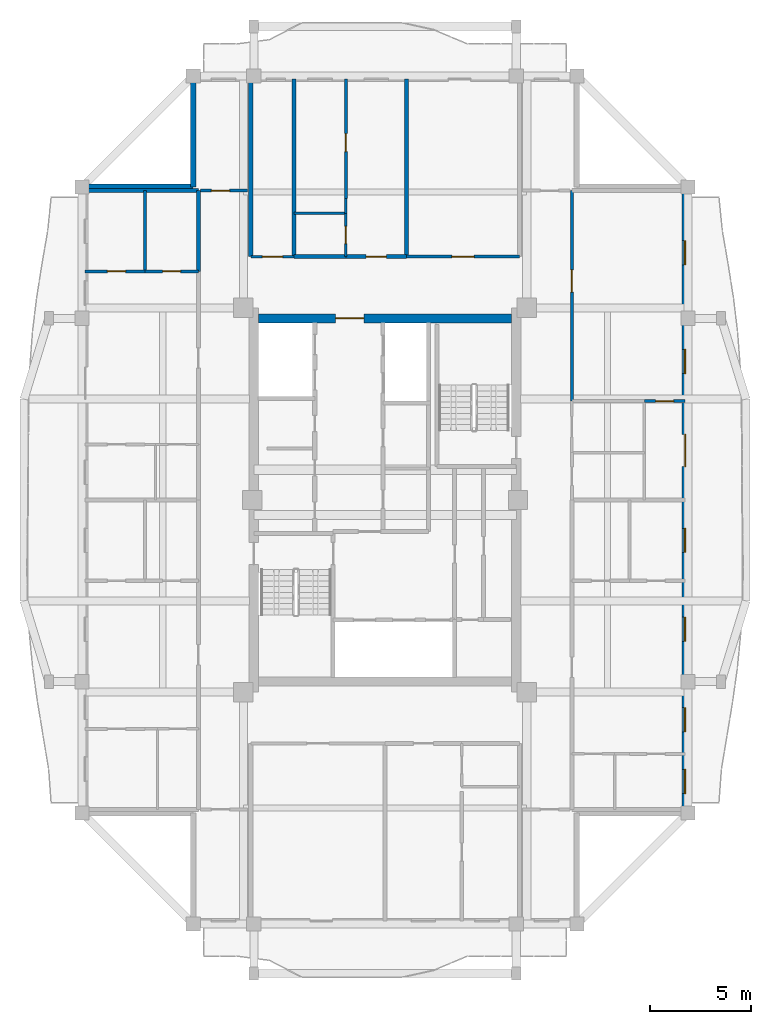
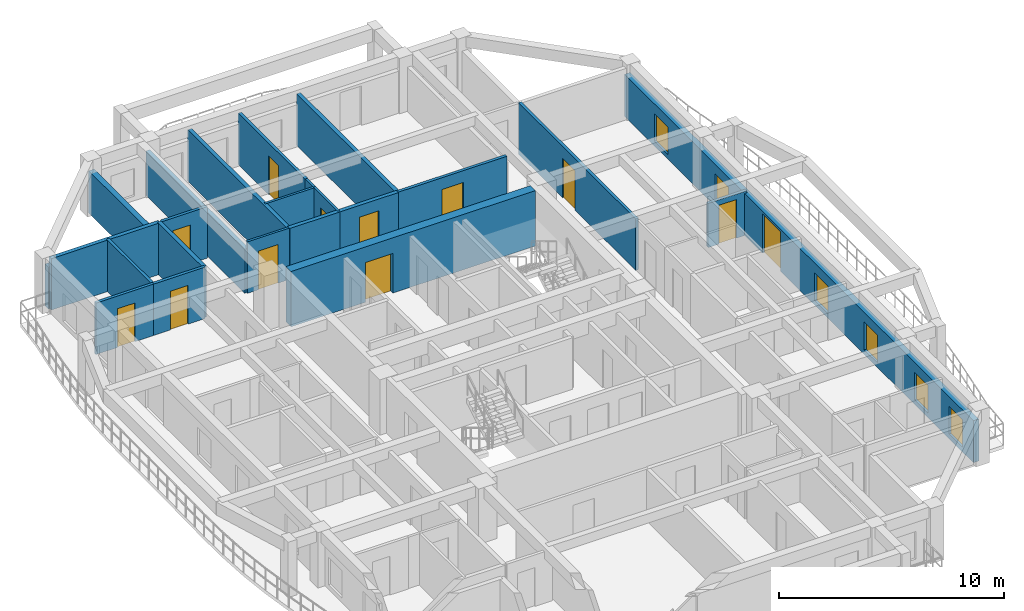
# One storey, part 5 of 12: 23 walls, 12 doors, 6 windows, 18 openings.
"""IFC4 building model written with IfcOpenShell, lengths in metres."""

from ifc_helpers import new_model, si_unit, direction, frame, frame_2d, origin, place, context, subcontext, project, spatial, rectangle, extrude, source, transform, mapped, material, layer, layer_set, type_object, element, fill, save


model = new_model("IFC4")

# Units and contexts
model_context = context("Model", 3, precision=1e-05, world=origin(), true_north=direction((0.0, 1.0)))
body_context = subcontext(model_context, "Body", "Model", "MODEL_VIEW")
ifc_project = project(units=[si_unit("LENGTHUNIT", "METRE"), si_unit("AREAUNIT", "SQUARE_METRE"), si_unit("VOLUMEUNIT", "CUBIC_METRE"), si_unit("PLANEANGLEUNIT", "RADIAN"), si_unit("MASSUNIT", "GRAM", prefix="KILO")], contexts=[model_context])

# Site, building, storey
site_placement = place(None, origin())
site = spatial("IfcSite", under=ifc_project, at=site_placement, CompositionType="ELEMENT")
building_placement = place(site_placement, origin())
building = spatial("IfcBuilding", under=site, at=building_placement, Name="Saelheon Loggia Tower", CompositionType="ELEMENT")
storey_placement = place(building_placement, frame((0.0, 0.0, 240.0)))
storey = spatial("IfcBuildingStorey", under=building, at=storey_placement, Name="L74", CompositionType="ELEMENT", Elevation=240.0)

# Wall, opening, door
ifc_material_1 = material(Name="Concrete C45/55", Category="concrete")
ifc_layer_1 = layer(ifc_material_1, 0.449951171875)
ifc_layer_set_1 = layer_set([ifc_layer_1], Name="Concrete C45/55")
wall_type_1 = type_object("IfcWallType", Name="Wall_CoreShear_450", PredefinedType="SHEAR", material=ifc_layer_set_1)
wall_1_placement = place(storey_placement, frame((31.72509765625, 36.0, 0.0), z_axis=(0.0, 0.0, 1.0), x_axis=(1.0, 0.0, 0.0)))
wall_1 = element("IfcWall", 1, at=wall_1_placement, inside=storey, type_object=wall_type_1, Name="L74 Core Shear Wall North", PredefinedType="SHEAR", context=body_context, shape_type="SweptSolid", body=[
    extrude(rectangle(XDim=12.5498046875, YDim=0.449951171875, at=frame_2d((6.27490234375, 0.0))), origin(), (0.0, 0.0, 1.0), 3.0),
])
opening_1_placement = place(wall_1_placement, frame((5.224853515625, 0.0, 0.0), z_axis=(0.0, 0.0, 1.0), x_axis=(-1.0, 0.0, 0.0)))
opening_1 = element("IfcOpeningElement", 2, at=opening_1_placement, cuts=wall_1, Name="Opening D-FD2L", PredefinedType="OPENING", context=body_context, shape_type="SweptSolid", body=[
    extrude(rectangle(XDim=1.39990234375, YDim=2.14990234375, at=frame_2d((0.699951171875, 1.074951171875))), frame((0.0, 0.237060546875, 0.0), z_axis=(0.0, -1.0, 0.0), x_axis=(1.0, 0.0, 0.0)), (0.0, 0.0, 1.0), 0.473876953125),
])
ifc_material_2 = material(Name="Galvanised Steel Glazed Lobby Fire Door", Category="steel")
door_type_1 = type_object("IfcDoorType", Name="Door_Fire_FD60_1400", OperationType="NOTDEFINED", PredefinedType="DOOR", material=ifc_material_2)
shared_shape_1 = source(origin(), body_context, "Body", "SweptSolid", [
    extrude(rectangle(XDim=1.39990234375, YDim=2.14990234375, at=frame_2d((0.699951171875, 1.074951171875))), frame((0.0, 0.02490234375, 0.0), z_axis=(0.0, -1.0, 0.0), x_axis=(1.0, 0.0, 0.0)), (0.0, 0.0, 1.0), 0.050048828125),
])
door_1_placement = place(opening_1_placement, origin())
door_1 = element("IfcDoor", 3, at=door_1_placement, inside=storey, type_object=door_type_1, Name="L74 Passenger Lift Lobby Main Door", OperationType="SINGLE_SWING_RIGHT", OverallHeight=2.14990234375, OverallWidth=1.39990234375, PredefinedType="DOOR", context=body_context, shape_type="MappedRepresentation", body=[
    mapped(shared_shape_1, transform((0.0, 0.0, 0.0), scale=1.0)),
])
fill(opening_1, door_1)

# Wall, openings, windows, door
ifc_material_3 = material(Name="Architectural Precast Concrete C40/50", Category="concrete")
ifc_layer_2 = layer(ifc_material_3, 0.280029296875)
ifc_layer_set_2 = layer_set([ifc_layer_2], Name="Architectural Precast Concrete C40/50")
wall_type_2 = type_object("IfcWallType", Name="Wall_Ext_Loggia_280", PredefinedType="SOLIDWALL", material=ifc_layer_set_2)
wall_2_placement = place(storey_placement, frame((52.860107421875, 11.5, 0.0), z_axis=(0.0, 0.0, 1.0), x_axis=(0.0, 1.0, 0.0)))
wall_2 = element("IfcWall", 4, at=wall_2_placement, inside=storey, type_object=wall_type_2, Name="L74 East Loggia Inner Wall", PredefinedType="SOLIDWALL", context=body_context, shape_type="SweptSolid", body=[
    extrude(rectangle(XDim=31.0, YDim=0.280029296875, at=frame_2d((15.5, 0.0))), origin(), (0.0, 0.0, 1.0), 2.280029296875),
])
opening_2_placement = place(wall_2_placement, frame((0.9599609375, 0.0, 0.25)))
opening_2 = element("IfcOpeningElement", 5, at=opening_2_placement, cuts=wall_2, Name="Opening WN-03", PredefinedType="OPENING", context=body_context, shape_type="SweptSolid", body=[
    extrude(rectangle(XDim=1.199951171875, YDim=1.5, at=frame_2d((0.60009765625, 0.75))), frame((0.0, 0.152099609375, 0.0), z_axis=(0.0, -1.0, 0.0), x_axis=(1.0, 0.0, 0.0)), (0.0, 0.0, 1.0), 0.303955078125),
])
opening_3_placement = place(wall_2_placement, frame((4.02001953125, 0.0, 0.25)))
opening_3 = element("IfcOpeningElement", 6, at=opening_3_placement, cuts=wall_2, Name="Opening WN-03", PredefinedType="OPENING", context=body_context, shape_type="SweptSolid", body=[
    extrude(rectangle(XDim=1.199951171875, YDim=1.5, at=frame_2d((0.60009765625, 0.75))), frame((0.0, 0.152099609375, 0.0), z_axis=(0.0, -1.0, 0.0), x_axis=(1.0, 0.0, 0.0)), (0.0, 0.0, 1.0), 0.303955078125),
])
opening_4_placement = place(wall_2_placement, frame((8.4951171875, 0.0, 0.25)))
opening_4 = element("IfcOpeningElement", 7, at=opening_4_placement, cuts=wall_2, Name="Opening WN-03", PredefinedType="OPENING", context=body_context, shape_type="SweptSolid", body=[
    extrude(rectangle(XDim=1.199951171875, YDim=1.5, at=frame_2d((0.60009765625, 0.75))), frame((0.0, 0.152099609375, 0.0), z_axis=(0.0, -1.0, 0.0), x_axis=(1.0, 0.0, 0.0)), (0.0, 0.0, 1.0), 0.303955078125),
])
opening_5_placement = place(wall_2_placement, frame((12.89990234375, 0.0, 0.25)))
opening_5 = element("IfcOpeningElement", 8, at=opening_5_placement, cuts=wall_2, Name="Opening WN-03", PredefinedType="OPENING", context=body_context, shape_type="SweptSolid", body=[
    extrude(rectangle(XDim=1.199951171875, YDim=1.5, at=frame_2d((0.60009765625, 0.75))), frame((0.0, 0.152099609375, 0.0), z_axis=(0.0, -1.0, 0.0), x_axis=(1.0, 0.0, 0.0)), (0.0, 0.0, 1.0), 0.303955078125),
])
opening_6_placement = place(wall_2_placement, frame((18.75, 0.0, 0.0), z_axis=(0.0, 0.0, 1.0), x_axis=(-1.0, 0.0, 0.0)))
opening_6 = element("IfcOpeningElement", 9, at=opening_6_placement, cuts=wall_2, Name="Opening DLG-1", PredefinedType="OPENING", context=body_context, shape_type="SweptSolid", body=[
    extrude(rectangle(XDim=1.60009765625, YDim=2.14990234375, at=frame_2d((0.800048828125, 1.074951171875))), frame((0.0, 0.152099609375, 0.0), z_axis=(0.0, -1.0, 0.0), x_axis=(1.0, 0.0, 0.0)), (0.0, 0.0, 1.0), 0.303955078125),
])
opening_7_placement = place(wall_2_placement, frame((21.7548828125, 0.0, 0.25)))
opening_7 = element("IfcOpeningElement", 10, at=opening_7_placement, cuts=wall_2, Name="Opening WN-03", PredefinedType="OPENING", context=body_context, shape_type="SweptSolid", body=[
    extrude(rectangle(XDim=1.199951171875, YDim=1.5, at=frame_2d((0.60009765625, 0.75))), frame((0.0, 0.152099609375, 0.0), z_axis=(0.0, -1.0, 0.0), x_axis=(1.0, 0.0, 0.0)), (0.0, 0.0, 1.0), 0.303955078125),
])
opening_8_placement = place(wall_2_placement, frame((27.14990234375, 0.0, 0.25)))
opening_8 = element("IfcOpeningElement", 11, at=opening_8_placement, cuts=wall_2, Name="Opening WN-03", PredefinedType="OPENING", context=body_context, shape_type="SweptSolid", body=[
    extrude(rectangle(XDim=1.199951171875, YDim=1.5, at=frame_2d((0.60009765625, 0.75))), frame((0.0, 0.152099609375, 0.0), z_axis=(0.0, -1.0, 0.0), x_axis=(1.0, 0.0, 0.0)), (0.0, 0.0, 1.0), 0.303955078125),
])
ifc_material_4 = material(Name="Thermal-Break Aluminium and Triple Low-E Glass", Category="aluminium")
window_type = type_object("IfcWindowType", Name="Win_Bedroom_1200x1500", PartitioningType="SINGLE_PANEL", PredefinedType="WINDOW", material=ifc_material_4)
shared_shape_2 = source(origin(), body_context, "Body", "SweptSolid", [
    extrude(rectangle(XDim=1.199951171875, YDim=1.5, at=frame_2d((0.60009765625, 0.75))), frame((0.0, 0.030029296875, 0.0), z_axis=(0.0, -1.0, 0.0), x_axis=(1.0, 0.0, 0.0)), (0.0, 0.0, 1.0), 0.06005859375),
])
window_1_placement = place(opening_2_placement, origin())
window_1 = element("IfcWindow", 12, at=window_1_placement, inside=storey, type_object=window_type, Name="L74 E Dwelling Window 1", OverallHeight=1.5, OverallWidth=1.199951171875, PartitioningType="SINGLE_PANEL", PredefinedType="WINDOW", context=body_context, shape_type="MappedRepresentation", body=[
    mapped(shared_shape_2, transform((0.0, 0.0, 0.0), scale=1.0)),
])
fill(opening_2, window_1)
window_2_placement = place(opening_3_placement, origin())
window_2 = element("IfcWindow", 13, at=window_2_placement, inside=storey, type_object=window_type, Name="L74 E Dwelling Window 2", OverallHeight=1.5, OverallWidth=1.199951171875, PartitioningType="SINGLE_PANEL", PredefinedType="WINDOW", context=body_context, shape_type="MappedRepresentation", body=[
    mapped(shared_shape_2, transform((0.0, 0.0, 0.0), scale=1.0)),
])
fill(opening_3, window_2)
window_3_placement = place(opening_4_placement, origin())
window_3 = element("IfcWindow", 14, at=window_3_placement, inside=storey, type_object=window_type, Name="L74 E Dwelling Window 3", OverallHeight=1.5, OverallWidth=1.199951171875, PartitioningType="SINGLE_PANEL", PredefinedType="WINDOW", context=body_context, shape_type="MappedRepresentation", body=[
    mapped(shared_shape_2, transform((0.0, 0.0, 0.0), scale=1.0)),
])
fill(opening_4, window_3)
window_4_placement = place(opening_5_placement, origin())
window_4 = element("IfcWindow", 15, at=window_4_placement, inside=storey, type_object=window_type, Name="L74 E Dwelling Window 4", OverallHeight=1.5, OverallWidth=1.199951171875, PartitioningType="SINGLE_PANEL", PredefinedType="WINDOW", context=body_context, shape_type="MappedRepresentation", body=[
    mapped(shared_shape_2, transform((0.0, 0.0, 0.0), scale=1.0)),
])
fill(opening_5, window_4)
window_5_placement = place(opening_7_placement, origin())
window_5 = element("IfcWindow", 16, at=window_5_placement, inside=storey, type_object=window_type, Name="L74 E Dwelling Window 6", OverallHeight=1.5, OverallWidth=1.199951171875, PartitioningType="SINGLE_PANEL", PredefinedType="WINDOW", context=body_context, shape_type="MappedRepresentation", body=[
    mapped(shared_shape_2, transform((0.0, 0.0, 0.0), scale=1.0)),
])
fill(opening_7, window_5)
window_6_placement = place(opening_8_placement, origin())
window_6 = element("IfcWindow", 17, at=window_6_placement, inside=storey, type_object=window_type, Name="L74 E Dwelling Window 7", OverallHeight=1.5, OverallWidth=1.199951171875, PartitioningType="SINGLE_PANEL", PredefinedType="WINDOW", context=body_context, shape_type="MappedRepresentation", body=[
    mapped(shared_shape_2, transform((0.0, 0.0, 0.0), scale=1.0)),
])
fill(opening_8, window_6)
ifc_material_5 = material(Name="Thermal-Break Aluminium Sliding Glazed Door", Category="aluminium")
door_type_2 = type_object("IfcDoorType", Name="Door_LoggiaSlide_1600", OperationType="SLIDING_TO_LEFT", PredefinedType="DOOR", material=ifc_material_5)
shared_shape_3 = source(origin(), body_context, "Body", "SweptSolid", [
    extrude(rectangle(XDim=1.60009765625, YDim=2.14990234375, at=frame_2d((0.800048828125, 1.074951171875))), frame((0.0, 0.02490234375, 0.0), z_axis=(0.0, -1.0, 0.0), x_axis=(1.0, 0.0, 0.0)), (0.0, 0.0, 1.0), 0.050048828125),
])
door_2_placement = place(opening_6_placement, origin())
door_2 = element("IfcDoor", 18, at=door_2_placement, inside=storey, type_object=door_type_2, Name="L74 E Loggia Access Door", OperationType="SLIDING_TO_LEFT", OverallHeight=2.14990234375, OverallWidth=1.60009765625, PredefinedType="DOOR", context=body_context, shape_type="MappedRepresentation", body=[
    mapped(shared_shape_3, transform((0.0, 0.0, 0.0), scale=1.0)),
])
fill(opening_6, door_2)

# Walls
for number, where, z_axis, x_axis, name in (
    (19, (28.5, 42.5, 0.0), (0.0, 0.0, 1.0), (0.0, 1.0, 0.0), "L74 Corner Notch Precast Wall NW1"),
    (20, (23.080078125, 42.5, 0.0), (0.0, 0.0, 1.0), (1.0, 0.0, 0.0), "L74 Corner Notch Precast Wall NW2"),
):
    element("IfcWall", number, at=place(storey_placement, frame(where, z_axis=z_axis, x_axis=x_axis)), inside=storey, type_object=wall_type_2, Name=name, PredefinedType="SOLIDWALL", context=body_context, shape_type="SweptSolid", body=[
        extrude(rectangle(XDim=5.419921875, YDim=0.280029296875, at=frame_2d((2.7099609375, 0.0))), origin(), (0.0, 0.0, 1.0), 2.280029296875),
    ])

# Wall, opening, door
ifc_material_6 = material(Name="Lightweight Autoclaved Aerated Concrete Block and Acoustic Gypsum", Category="concrete")
ifc_layer_3 = layer(ifc_material_6, 0.14990234375)
ifc_layer_set_3 = layer_set([ifc_layer_3], Name="Lightweight Autoclaved Aerated Concrete Block and Acoustic Gypsum")
wall_type_3 = type_object("IfcWallType", Name="Wall_Part_150", PredefinedType="PARTITIONING", material=ifc_layer_set_3)
wall_3_placement = place(storey_placement, frame((28.85009765625, 42.320068359375, 0.0), z_axis=(0.0, 0.0, 1.0), x_axis=(1.0, 0.0, 0.0)))
wall_3 = element("IfcWall", 21, at=wall_3_placement, inside=storey, type_object=wall_type_3, Name="PW-L74-CNW-H", PredefinedType="PARTITIONING", context=body_context, shape_type="SweptSolid", body=[
    extrude(rectangle(XDim=2.329833984375, YDim=0.14990234375, at=frame_2d((1.1650390625, 0.0))), origin(), (0.0, 0.0, 1.0), 2.7900390625),
])
opening_9_placement = place(wall_3_placement, frame((0.550048828125, 0.0, 0.0)))
opening_9 = element("IfcOpeningElement", 22, at=opening_9_placement, cuts=wall_3, Name="Opening D-IN2", PredefinedType="OPENING", context=body_context, shape_type="SweptSolid", body=[
    extrude(rectangle(XDim=0.89990234375, YDim=2.10009765625, at=frame_2d((0.449951171875, 1.050048828125))), frame((0.0, 0.0869140625, 0.0), z_axis=(0.0, -1.0, 0.0), x_axis=(1.0, 0.0, 0.0)), (0.0, 0.0, 1.0), 0.173828125),
])
ifc_material_7 = material(Name="Engineered Oak Flush Door", Category="timber")
door_type_3 = type_object("IfcDoorType", Name="Door_Int_900", OperationType="NOTDEFINED", PredefinedType="DOOR", material=ifc_material_7)
shared_shape_4 = source(origin(), body_context, "Body", "SweptSolid", [
    extrude(rectangle(XDim=0.89990234375, YDim=2.10009765625, at=frame_2d((0.449951171875, 1.050048828125))), frame((0.0, 0.02490234375, 0.0), z_axis=(0.0, -1.0, 0.0), x_axis=(1.0, 0.0, 0.0)), (0.0, 0.0, 1.0), 0.050048828125),
])
door_3_placement = place(opening_9_placement, origin())
door_3 = element("IfcDoor", 23, at=door_3_placement, inside=storey, type_object=door_type_3, Name="L74 Corner Home Office NW Door", OperationType="SINGLE_SWING_RIGHT", OverallHeight=2.10009765625, OverallWidth=0.89990234375, PredefinedType="DOOR", context=body_context, shape_type="MappedRepresentation", body=[
    mapped(shared_shape_4, transform((0.0, 0.0, 0.0), scale=1.0)),
])
fill(opening_9, door_3)

wall_4_placement = place(storey_placement, frame((36.064453125, 41.929931640625, 0.0), z_axis=(0.0, 0.0, 1.0), x_axis=(0.0, 1.0, 0.0)))
wall_4 = element("IfcWall", 24, at=wall_4_placement, inside=storey, type_object=wall_type_3, Name="L74 N Partition U10", PredefinedType="PARTITIONING", context=body_context, shape_type="SweptSolid", body=[
    extrude(rectangle(XDim=5.920166015625, YDim=0.14990234375, at=frame_2d((2.9599609375, 0.0))), origin(), (0.0, 0.0, 1.0), 2.7900390625),
])
opening_10_placement = place(wall_4_placement, frame((2.32080078125, 0.0, 0.0)))
opening_10 = element("IfcOpeningElement", 25, at=opening_10_placement, cuts=wall_4, Name="Opening D-IN2", PredefinedType="OPENING", context=body_context, shape_type="SweptSolid", body=[
    extrude(rectangle(XDim=0.89990234375, YDim=2.10009765625, at=frame_2d((0.449951171875, 1.050048828125))), frame((0.0, 0.0869140625, 0.0), z_axis=(0.0, -1.0, 0.0), x_axis=(1.0, 0.0, 0.0)), (0.0, 0.0, 1.0), 0.173828125),
])
door_4_placement = place(opening_10_placement, origin())
door_4 = element("IfcDoor", 26, at=door_4_placement, inside=storey, type_object=door_type_3, Name="Unit U02 Kitchen Door", OperationType="SINGLE_SWING_RIGHT", OverallHeight=2.10009765625, OverallWidth=0.89990234375, PredefinedType="DOOR", context=body_context, shape_type="MappedRepresentation", body=[
    mapped(shared_shape_4, transform((0.0, 0.0, 0.0), scale=1.0)),
])
fill(opening_10, door_4)

wall_5_placement = place(storey_placement, frame((39.074951171875, 39.050048828125, 0.0), z_axis=(0.0, 0.0, 1.0), x_axis=(1.0, 0.0, 0.0)))
wall_5 = element("IfcWall", 27, at=wall_5_placement, inside=storey, type_object=wall_type_3, Name="L74 N Partition V12", PredefinedType="PARTITIONING", context=body_context, shape_type="SweptSolid", body=[
    extrude(rectangle(XDim=5.574951171875, YDim=0.14990234375, at=frame_2d((2.78759765625, 0.0))), origin(), (0.0, 0.0, 1.0), 2.7900390625),
])
opening_11_placement = place(wall_5_placement, frame((2.237548828125, 0.0, 0.0)))
opening_11 = element("IfcOpeningElement", 28, at=opening_11_placement, cuts=wall_5, Name="Opening D-FD2", PredefinedType="OPENING", context=body_context, shape_type="SweptSolid", body=[
    extrude(rectangle(XDim=1.10009765625, YDim=2.14990234375, at=frame_2d((0.550048828125, 1.074951171875))), frame((0.0, 0.0869140625, 0.0), z_axis=(0.0, -1.0, 0.0), x_axis=(1.0, 0.0, 0.0)), (0.0, 0.0, 1.0), 0.173828125),
])
ifc_material_8 = material(Name="Galvanised Steel Fire Door", Category="steel")
door_type_4 = type_object("IfcDoorType", Name="Door_Fire_FD60_1100", OperationType="NOTDEFINED", PredefinedType="DOOR", material=ifc_material_8)
shared_shape_5 = source(origin(), body_context, "Body", "SweptSolid", [
    extrude(rectangle(XDim=1.10009765625, YDim=2.14990234375, at=frame_2d((0.550048828125, 1.074951171875))), frame((0.0, 0.02490234375, 0.0), z_axis=(0.0, -1.0, 0.0), x_axis=(1.0, 0.0, 0.0)), (0.0, 0.0, 1.0), 0.050048828125),
])
door_5_placement = place(opening_11_placement, origin())
door_5 = element("IfcDoor", 29, at=door_5_placement, inside=storey, type_object=door_type_4, Name="L74 Resident Seminar and Study Hall Door A", OperationType="SINGLE_SWING_LEFT", OverallHeight=2.14990234375, OverallWidth=1.10009765625, PredefinedType="DOOR", context=body_context, shape_type="MappedRepresentation", body=[
    mapped(shared_shape_5, transform((0.0, 0.0, 0.0), scale=1.0)),
])
fill(opening_11, door_5)

# Wall
wall_6_placement = place(storey_placement, frame((26.110107421875, 38.320068359375, 0.0), z_axis=(0.0, 0.0, 1.0), x_axis=(0.0, 1.0, 0.0)))
element("IfcWall", 30, at=wall_6_placement, inside=storey, type_object=wall_type_3, Name="L74 W Partition V18", PredefinedType="PARTITIONING", context=body_context, shape_type="SweptSolid", body=[
    extrude(rectangle(XDim=4.0, YDim=0.14990234375, at=frame_2d((2.0, 0.0))), origin(), (0.0, 0.0, 1.0), 2.7900390625),
])

# Wall, opening, door
wall_7_placement = place(storey_placement, frame((28.75, 38.320068359375, 0.0), z_axis=(0.0, 0.0, 1.0), x_axis=(-1.0, 0.0, 0.0)))
wall_7 = element("IfcWall", 31, at=wall_7_placement, inside=storey, type_object=wall_type_3, Name="L74 W Partition U22", PredefinedType="PARTITIONING", context=body_context, shape_type="SweptSolid", body=[
    extrude(rectangle(XDim=2.639892578125, YDim=0.14990234375, at=frame_2d((1.31982421875, 0.0))), origin(), (0.0, 0.0, 1.0), 2.7900390625),
])
opening_12_placement = place(wall_7_placement, frame((0.8701171875, 0.0, 0.0)))
opening_12 = element("IfcOpeningElement", 32, at=opening_12_placement, cuts=wall_7, Name="Opening D-IN2", PredefinedType="OPENING", context=body_context, shape_type="SweptSolid", body=[
    extrude(rectangle(XDim=0.89990234375, YDim=2.10009765625, at=frame_2d((0.449951171875, 1.050048828125))), frame((0.0, 0.0869140625, 0.0), z_axis=(0.0, -1.0, 0.0), x_axis=(1.0, 0.0, 0.0)), (0.0, 0.0, 1.0), 0.173828125),
])
door_6_placement = place(opening_12_placement, origin())
door_6 = element("IfcDoor", 33, at=door_6_placement, inside=storey, type_object=door_type_3, Name="Unit U04 Dressing Closet Door", OperationType="SINGLE_SWING_RIGHT", OverallHeight=2.10009765625, OverallWidth=0.89990234375, PredefinedType="DOOR", context=body_context, shape_type="MappedRepresentation", body=[
    mapped(shared_shape_4, transform((0.0, 0.0, 0.0), scale=1.0)),
])
fill(opening_12, door_6)

wall_8_placement = place(storey_placement, frame((26.110107421875, 38.320068359375, 0.0), z_axis=(0.0, 0.0, 1.0), x_axis=(-1.0, 0.0, 0.0)))
wall_8 = element("IfcWall", 34, at=wall_8_placement, inside=storey, type_object=wall_type_3, Name="L74 W Partition U23", PredefinedType="PARTITIONING", context=body_context, shape_type="SweptSolid", body=[
    extrude(rectangle(XDim=2.960205078125, YDim=0.14990234375, at=frame_2d((1.47998046875, 0.0))), origin(), (0.0, 0.0, 1.0), 2.7900390625),
])
opening_13_placement = place(wall_8_placement, frame((0.964111328125, 0.0, 0.0)))
opening_13 = element("IfcOpeningElement", 35, at=opening_13_placement, cuts=wall_8, Name="Opening D-IN2", PredefinedType="OPENING", context=body_context, shape_type="SweptSolid", body=[
    extrude(rectangle(XDim=0.89990234375, YDim=2.10009765625, at=frame_2d((0.449951171875, 1.050048828125))), frame((0.0, 0.0869140625, 0.0), z_axis=(0.0, -1.0, 0.0), x_axis=(1.0, 0.0, 0.0)), (0.0, 0.0, 1.0), 0.173828125),
])
door_7_placement = place(opening_13_placement, origin())
door_7 = element("IfcDoor", 36, at=door_7_placement, inside=storey, type_object=door_type_3, Name="Unit U04 Bedroom 1 Door", OperationType="SINGLE_SWING_LEFT", OverallHeight=2.10009765625, OverallWidth=0.89990234375, PredefinedType="DOOR", context=body_context, shape_type="MappedRepresentation", body=[
    mapped(shared_shape_4, transform((0.0, 0.0, 0.0), scale=1.0)),
])
fill(opening_13, door_7)

wall_9_placement = place(storey_placement, frame((50.85009765625, 31.89990234375, 0.0), z_axis=(0.0, 0.0, 1.0), x_axis=(1.0, 0.0, 0.0)))
wall_9 = element("IfcWall", 37, at=wall_9_placement, inside=storey, type_object=wall_type_3, Name="L74 E Partition U16", PredefinedType="PARTITIONING", context=body_context, shape_type="SweptSolid", body=[
    extrude(rectangle(XDim=2.0, YDim=0.14990234375, at=frame_2d((1.0, 0.0))), origin(), (0.0, 0.0, 1.0), 2.389892578125),
])
opening_14_placement = place(wall_9_placement, frame((0.550048828125, 0.0, 0.0)))
opening_14 = element("IfcOpeningElement", 38, at=opening_14_placement, cuts=wall_9, Name="Opening D-IN2", PredefinedType="OPENING", context=body_context, shape_type="SweptSolid", body=[
    extrude(rectangle(XDim=0.89990234375, YDim=2.10009765625, at=frame_2d((0.449951171875, 1.050048828125))), frame((0.0, 0.0869140625, 0.0), z_axis=(0.0, -1.0, 0.0), x_axis=(1.0, 0.0, 0.0)), (0.0, 0.0, 1.0), 0.173828125),
])
door_8_placement = place(opening_14_placement, origin())
door_8 = element("IfcDoor", 39, at=door_8_placement, inside=storey, type_object=door_type_3, Name="L74 Reading Alcove Door", OperationType="SINGLE_SWING_LEFT", OverallHeight=2.10009765625, OverallWidth=0.89990234375, PredefinedType="DOOR", context=body_context, shape_type="MappedRepresentation", body=[
    mapped(shared_shape_4, transform((0.0, 0.0, 0.0), scale=1.0)),
])
fill(opening_14, door_8)

wall_10_placement = place(storey_placement, frame((47.25, 31.89990234375, 0.0), z_axis=(0.0, 0.0, 1.0), x_axis=(0.0, 1.0, 0.0)))
wall_10 = element("IfcWall", 40, at=wall_10_placement, inside=storey, type_object=wall_type_3, Name="L74 E Partition V20", PredefinedType="PARTITIONING", context=body_context, shape_type="SweptSolid", body=[
    extrude(rectangle(XDim=10.420166015625, YDim=0.14990234375, at=frame_2d((5.2099609375, 0.0))), origin(), (0.0, 0.0, 1.0), 2.7900390625),
])
opening_15_placement = place(wall_10_placement, frame((5.393310546875, 0.0, 0.0)))
opening_15 = element("IfcOpeningElement", 41, at=opening_15_placement, cuts=wall_10, Name="Opening D-FD2", PredefinedType="OPENING", context=body_context, shape_type="SweptSolid", body=[
    extrude(rectangle(XDim=1.10009765625, YDim=2.14990234375, at=frame_2d((0.550048828125, 1.074951171875))), frame((0.0, 0.0869140625, 0.0), z_axis=(0.0, -1.0, 0.0), x_axis=(1.0, 0.0, 0.0)), (0.0, 0.0, 1.0), 0.173828125),
])
door_9_placement = place(opening_15_placement, origin())
door_9 = element("IfcDoor", 42, at=door_9_placement, inside=storey, type_object=door_type_4, Name="L74 Community Wellness Activity Hall Door A", OperationType="SINGLE_SWING_RIGHT", OverallHeight=2.14990234375, OverallWidth=1.10009765625, PredefinedType="DOOR", context=body_context, shape_type="MappedRepresentation", body=[
    mapped(shared_shape_5, transform((0.0, 0.0, 0.0), scale=1.0)),
])
fill(opening_15, door_9)

# Walls
ifc_material_9 = material(Name="Double Acoustic Stud and Fireboard Partition", Category="gypsum")
ifc_layer_4 = layer(ifc_material_9, 0.199951171875)
ifc_layer_set_4 = layer_set([ifc_layer_4], Name="Double Acoustic Stud and Fireboard Partition")
wall_type_4 = type_object("IfcWallType", Name="Wall_Party_200", PredefinedType="PARTITIONING", material=ifc_layer_set_4)
wall_11_placement = place(storey_placement, frame((31.35009765625, 39.050048828125, 0.0), z_axis=(0.0, 0.0, 1.0), x_axis=(0.0, 1.0, 0.0)))
element("IfcWall", 43, at=wall_11_placement, inside=storey, type_object=wall_type_4, Name="L74 N Partition U01", PredefinedType="PARTITIONING", context=body_context, shape_type="SweptSolid", body=[
    extrude(rectangle(XDim=8.800048828125, YDim=0.199951171875, at=frame_2d((4.39990234375, 0.0))), origin(), (0.0, 0.0, 1.0), 2.389892578125),
])
wall_12_placement = place(storey_placement, frame((33.5, 39.050048828125, 0.0), z_axis=(0.0, 0.0, 1.0), x_axis=(0.0, 1.0, 0.0)))
element("IfcWall", 44, at=wall_12_placement, inside=storey, type_object=wall_type_4, Name="L74 N Partition U03", PredefinedType="PARTITIONING", context=body_context, shape_type="SweptSolid", body=[
    extrude(rectangle(XDim=8.800048828125, YDim=0.199951171875, at=frame_2d((4.39990234375, 0.0))), origin(), (0.0, 0.0, 1.0), 2.7900390625),
])
wall_13_placement = place(storey_placement, frame((33.5, 39.050048828125, 0.0), z_axis=(0.0, 0.0, 1.0), x_axis=(1.0, 0.0, 0.0)))
element("IfcWall", 45, at=wall_13_placement, inside=storey, type_object=wall_type_4, Name="L74 N Partition V05", PredefinedType="PARTITIONING", context=body_context, shape_type="SweptSolid", body=[
    extrude(rectangle(XDim=2.564453125, YDim=0.199951171875, at=frame_2d((1.2822265625, 0.0))), origin(), (0.0, 0.0, 1.0), 2.7900390625),
])

# Wall, opening, door
wall_14_placement = place(storey_placement, frame((36.064453125, 39.050048828125, 0.0), z_axis=(0.0, 0.0, 1.0), x_axis=(1.0, 0.0, 0.0)))
wall_14 = element("IfcWall", 46, at=wall_14_placement, inside=storey, type_object=wall_type_4, Name="L74 N Partition V06", PredefinedType="PARTITIONING", context=body_context, shape_type="SweptSolid", body=[
    extrude(rectangle(XDim=3.010498046875, YDim=0.199951171875, at=frame_2d((1.50537109375, 0.0))), origin(), (0.0, 0.0, 1.0), 2.7900390625),
])
opening_16_placement = place(wall_14_placement, frame((1.00537109375, 0.0, 0.0)))
opening_16 = element("IfcOpeningElement", 47, at=opening_16_placement, cuts=wall_14, Name="Opening D-FD1", PredefinedType="OPENING", context=body_context, shape_type="SweptSolid", body=[
    extrude(rectangle(XDim=1.0, YDim=2.14990234375, at=frame_2d((0.5, 1.074951171875))), frame((0.0, 0.112060546875, 0.0), z_axis=(0.0, -1.0, 0.0), x_axis=(1.0, 0.0, 0.0)), (0.0, 0.0, 1.0), 0.223876953125),
])
ifc_material_10 = material(Name="Fire-Rated Engineered Timber Entrance Door", Category="wood")
door_type_5 = type_object("IfcDoorType", Name="Door_Flat_FD30S", OperationType="NOTDEFINED", PredefinedType="DOOR", material=ifc_material_10)
shared_shape_6 = source(origin(), body_context, "Body", "SweptSolid", [
    extrude(rectangle(XDim=1.0, YDim=2.14990234375, at=frame_2d((0.5, 1.074951171875))), frame((0.0, 0.02490234375, 0.0), z_axis=(0.0, -1.0, 0.0), x_axis=(1.0, 0.0, 0.0)), (0.0, 0.0, 1.0), 0.050048828125),
])
door_10_placement = place(opening_16_placement, origin())
door_10 = element("IfcDoor", 48, at=door_10_placement, inside=storey, type_object=door_type_5, Name="Unit U02 Entrance Door", OperationType="SINGLE_SWING_RIGHT", OverallHeight=2.14990234375, OverallWidth=1.0, PredefinedType="DOOR", context=body_context, shape_type="MappedRepresentation", body=[
    mapped(shared_shape_6, transform((0.0, 0.0, 0.0), scale=1.0)),
])
fill(opening_16, door_10)

# Walls
wall_15_placement = place(storey_placement, frame((39.074951171875, 39.050048828125, 0.0), z_axis=(0.0, 0.0, 1.0), x_axis=(0.0, 1.0, 0.0)))
element("IfcWall", 49, at=wall_15_placement, inside=storey, type_object=wall_type_4, Name="L74 N Partition U11", PredefinedType="PARTITIONING", context=body_context, shape_type="SweptSolid", body=[
    extrude(rectangle(XDim=8.800048828125, YDim=0.199951171875, at=frame_2d((4.39990234375, 0.0))), origin(), (0.0, 0.0, 1.0), 2.7900390625),
])
wall_16_placement = place(storey_placement, frame((28.75, 42.320068359375, 0.0), z_axis=(0.0, 0.0, 1.0), x_axis=(-1.0, 0.0, 0.0)))
element("IfcWall", 50, at=wall_16_placement, inside=storey, type_object=wall_type_4, Name="L74 W Partition U02", PredefinedType="PARTITIONING", context=body_context, shape_type="SweptSolid", body=[
    extrude(rectangle(XDim=5.60009765625, YDim=0.199951171875, at=frame_2d((2.800048828125, 0.0))), origin(), (0.0, 0.0, 1.0), 2.7900390625),
])
wall_17_placement = place(storey_placement, frame((28.75, 38.320068359375, 0.0), z_axis=(0.0, 0.0, 1.0), x_axis=(0.0, 1.0, 0.0)))
element("IfcWall", 51, at=wall_17_placement, inside=storey, type_object=wall_type_4, Name="L74 W Partition V16", PredefinedType="PARTITIONING", context=body_context, shape_type="SweptSolid", body=[
    extrude(rectangle(XDim=4.0, YDim=0.199951171875, at=frame_2d((2.0, 0.0))), origin(), (0.0, 0.0, 1.0), 2.7900390625),
])

# Wall, opening, door
ifc_material_11 = material(Name="Moisture-Resistant Cement Board Partition", Category="gypsum")
ifc_layer_5 = layer(ifc_material_11, 0.1201171875)
ifc_layer_set_5 = layer_set([ifc_layer_5], Name="Moisture-Resistant Cement Board Partition")
wall_type_5 = type_object("IfcWallType", Name="Wall_WetPart_120", PredefinedType="PARTITIONING", material=ifc_layer_set_5)
wall_18_placement = place(storey_placement, frame((31.35009765625, 39.050048828125, 0.0), z_axis=(0.0, 0.0, 1.0), x_axis=(1.0, 0.0, 0.0)))
wall_18 = element("IfcWall", 52, at=wall_18_placement, inside=storey, type_object=wall_type_5, Name="L74 N Partition V04", PredefinedType="PARTITIONING", context=body_context, shape_type="SweptSolid", body=[
    extrude(rectangle(XDim=2.14990234375, YDim=0.1201171875, at=frame_2d((1.074951171875, 0.0))), origin(), (0.0, 0.0, 1.0), 2.7900390625),
])
opening_17_placement = place(wall_18_placement, frame((0.574951171875, 0.0, 0.0)))
opening_17 = element("IfcOpeningElement", 53, at=opening_17_placement, cuts=wall_18, Name="Opening D-AC1", PredefinedType="OPENING", context=body_context, shape_type="SweptSolid", body=[
    extrude(rectangle(XDim=1.0, YDim=2.10009765625, at=frame_2d((0.5, 1.050048828125))), frame((0.0, 0.072021484375, 0.0), z_axis=(0.0, -1.0, 0.0), x_axis=(1.0, 0.0, 0.0)), (0.0, 0.0, 1.0), 0.14404296875),
])
ifc_material_12 = material(Name="Accessible Laminate Flush Door", Category="timber")
door_type_6 = type_object("IfcDoorType", Name="Door_Acc_1000", OperationType="NOTDEFINED", PredefinedType="DOOR", material=ifc_material_12)
shared_shape_7 = source(origin(), body_context, "Body", "SweptSolid", [
    extrude(rectangle(XDim=1.0, YDim=2.10009765625, at=frame_2d((0.5, 1.050048828125))), frame((0.0, 0.02490234375, 0.0), z_axis=(0.0, -1.0, 0.0), x_axis=(1.0, 0.0, 0.0)), (0.0, 0.0, 1.0), 0.050048828125),
])
door_11_placement = place(opening_17_placement, origin())
door_11 = element("IfcDoor", 54, at=door_11_placement, inside=storey, type_object=door_type_6, Name="L74 Floor Accessible WC Door", OperationType="SINGLE_SWING_LEFT", OverallHeight=2.10009765625, OverallWidth=1.0, PredefinedType="DOOR", context=body_context, shape_type="MappedRepresentation", body=[
    mapped(shared_shape_7, transform((0.0, 0.0, 0.0), scale=1.0)),
])
fill(opening_17, door_11)

wall_19_placement = place(storey_placement, frame((36.064453125, 39.050048828125, 0.0), z_axis=(0.0, 0.0, 1.0), x_axis=(0.0, 1.0, 0.0)))
wall_19 = element("IfcWall", 55, at=wall_19_placement, inside=storey, type_object=wall_type_5, Name="L74 N Partition U07", PredefinedType="PARTITIONING", context=body_context, shape_type="SweptSolid", body=[
    extrude(rectangle(XDim=2.14990234375, YDim=0.1201171875, at=frame_2d((1.074951171875, 0.0))), origin(), (0.0, 0.0, 1.0), 2.7900390625),
])
opening_18_placement = place(wall_19_placement, frame((0.64990234375, 0.0, 0.0)))
opening_18 = element("IfcOpeningElement", 56, at=opening_18_placement, cuts=wall_19, Name="Opening D-BT1", PredefinedType="OPENING", context=body_context, shape_type="SweptSolid", body=[
    extrude(rectangle(XDim=0.85009765625, YDim=2.050048828125, at=frame_2d((0.425048828125, 1.02490234375))), frame((0.0, 0.072021484375, 0.0), z_axis=(0.0, -1.0, 0.0), x_axis=(1.0, 0.0, 0.0)), (0.0, 0.0, 1.0), 0.14404296875),
])
ifc_material_13 = material(Name="Moisture-Resistant Laminate Timber Door", Category="wood")
door_type_7 = type_object("IfcDoorType", Name="Door_Bath_850", OperationType="NOTDEFINED", PredefinedType="DOOR", material=ifc_material_13)
shared_shape_8 = source(origin(), body_context, "Body", "SweptSolid", [
    extrude(rectangle(XDim=0.85009765625, YDim=2.050048828125, at=frame_2d((0.425048828125, 1.02490234375))), frame((0.0, 0.02490234375, 0.0), z_axis=(0.0, -1.0, 0.0), x_axis=(1.0, 0.0, 0.0)), (0.0, 0.0, 1.0), 0.050048828125),
])
door_12_placement = place(opening_18_placement, origin())
door_12 = element("IfcDoor", 57, at=door_12_placement, inside=storey, type_object=door_type_7, Name="Unit U02 Bathroom Door", OperationType="SINGLE_SWING_LEFT", OverallHeight=2.050048828125, OverallWidth=0.85009765625, PredefinedType="DOOR", context=body_context, shape_type="MappedRepresentation", body=[
    mapped(shared_shape_8, transform((0.0, 0.0, 0.0), scale=1.0)),
])
fill(opening_18, door_12)

# Walls
wall_20_placement = place(storey_placement, frame((36.064453125, 41.199951171875, 0.0), z_axis=(0.0, 0.0, 1.0), x_axis=(0.0, 1.0, 0.0)))
element("IfcWall", 58, at=wall_20_placement, inside=storey, type_object=wall_type_5, Name="L74 N Partition U08", PredefinedType="PARTITIONING", context=body_context, shape_type="SweptSolid", body=[
    extrude(rectangle(XDim=0.72998046875, YDim=0.1201171875, at=frame_2d((0.364990234375, 0.0))), origin(), (0.0, 0.0, 1.0), 2.7900390625),
])
wall_21_placement = place(storey_placement, frame((33.5, 41.199951171875, 0.0), z_axis=(0.0, 0.0, 1.0), x_axis=(1.0, 0.0, 0.0)))
element("IfcWall", 59, at=wall_21_placement, inside=storey, type_object=wall_type_5, Name="L74 N Partition V09", PredefinedType="PARTITIONING", context=body_context, shape_type="SweptSolid", body=[
    extrude(rectangle(XDim=2.564453125, YDim=0.1201171875, at=frame_2d((1.2822265625, 0.0))), origin(), (0.0, 0.0, 1.0), 2.7900390625),
])

save(model, "model.ifc")
